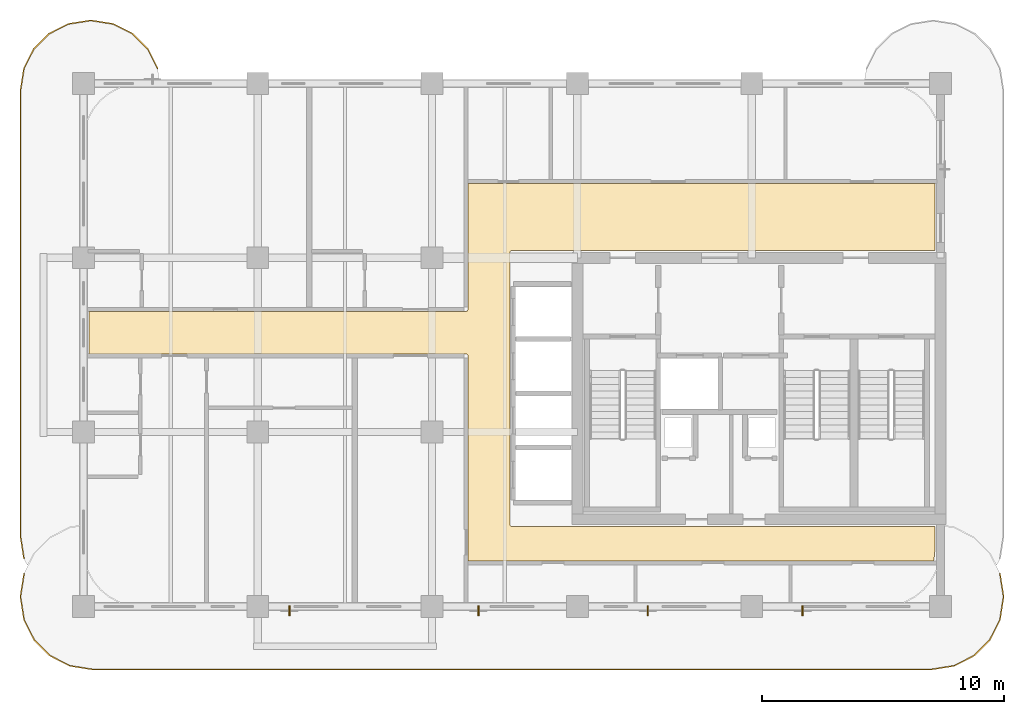
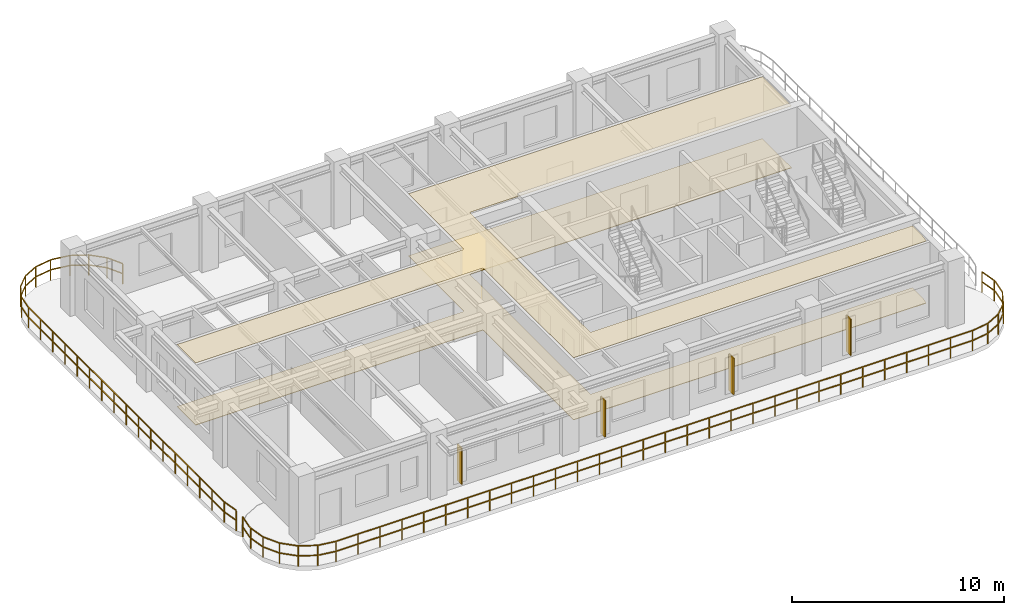
# One storey, part 6 of 7: 4 shading devices, 2 coverings, 2 railings.
"""IFC4 building model written with IfcOpenShell, lengths in metres."""

from ifc_helpers import new_model, si_unit, derived_unit, direction, frame, origin, origin_2d, place, context, subcontext, project, spatial, polyline, rectangle, outline, extrude, source, transform, mapped, material, layer, layer_set, type_object, type_shapes, element, save


model = new_model("IFC4")

# Units and contexts
model_context = context("Model", 3, precision=1e-05, world=origin(), true_north=direction((0.0, 1.0)))
body_context = subcontext(model_context, "Body", "Model", "MODEL_VIEW")
ifc_project = project(units=[si_unit("LENGTHUNIT", "METRE"), si_unit("AREAUNIT", "SQUARE_METRE"), si_unit("VOLUMEUNIT", "CUBIC_METRE"), si_unit("PLANEANGLEUNIT", "RADIAN"), si_unit("MASSUNIT", "GRAM", prefix="KILO"), si_unit("THERMODYNAMICTEMPERATUREUNIT", "KELVIN"), si_unit("POWERUNIT", "WATT"), derived_unit("THERMALTRANSMITTANCEUNIT", [(si_unit("POWERUNIT", "WATT"), 1), (si_unit("AREAUNIT", "SQUARE_METRE"), -1), (si_unit("THERMODYNAMICTEMPERATUREUNIT", "KELVIN"), -1)])], contexts=[model_context])

# Site, building, storey
site_placement = place(None, origin())
site = spatial("IfcSite", under=ifc_project, at=site_placement, CompositionType="ELEMENT")
building_placement = place(site_placement, origin())
building = spatial("IfcBuilding", under=site, at=building_placement, Name="Zahravan Archway Hotel and Residences", CompositionType="ELEMENT")
storey_placement = place(building_placement, frame((0.0, 0.0, 240.39990234375)))
storey = spatial("IfcBuildingStorey", under=building, at=storey_placement, Name="L60", CompositionType="ELEMENT", Elevation=240.39990234375)

# Coverings
ifc_material_1 = material(Name="Perforated Acoustic Gypsum Ceiling")
ifc_layer_1 = layer(ifc_material_1, 0.02490234375, Name="Perforated Acoustic Gypsum Ceiling")
ifc_layer_set_1 = layer_set([ifc_layer_1], Name="Perforated Acoustic Gypsum Ceiling")
covering_type_1 = type_object("IfcCoveringType", Name="COV-CEIL-ACST", PredefinedType="CEILING", material=ifc_layer_set_1)
covering_1_placement = place(storey_placement, frame((0.0, 0.0, 3.5751953125)))
element("IfcCovering", 1, at=covering_1_placement, inside=storey, type_object=covering_type_1, Name="L60 Acoustic Corridor Ceiling", PredefinedType="CEILING", context=body_context, shape_type="SweptSolid", body=[
    extrude(outline(polyline([(30.215576171875, 12.19140625), (30.256591796875, 12.21337890625), (30.278564453125, 12.25439453125), (30.280029296875, 17.469970703125), (49.580078125, 17.469970703125), (49.580078125, 14.705078125), (32.10009765625, 14.705078125), (32.0556640625, 14.69140625), (32.026123046875, 14.655517578125), (32.02001953125, 3.375), (32.033447265625, 3.33056640625), (32.0693359375, 3.301025390625), (49.580078125, 3.294921875), (49.580078125, 2.410888671875), (49.537109375, 1.974853515625), (49.50830078125, 1.8798828125), (30.280029296875, 1.8798828125), (30.280029296875, 10.35009765625), (30.2666015625, 10.394287109375), (30.230712890625, 10.423828125), (14.6201171875, 10.429931640625), (14.6201171875, 12.18994140625), (30.199951171875, 12.18994140625), (30.215576171875, 12.19140625)])), origin(), (0.0, 0.0, 1.0), 0.02490234375),
])
ifc_material_2 = material(Name="Honed Margalla Limestone & Mortar Bed", Category="masonry")
ifc_layer_2 = layer(ifc_material_2, 0.030029296875, Name="Honed Margalla Limestone & Mortar Bed", Category="masonry")
ifc_layer_set_2 = layer_set([ifc_layer_2], Name="Honed Margalla Limestone & Mortar Bed")
covering_type_2 = type_object("IfcCoveringType", Name="COV-FLR-STONE", PredefinedType="FLOORING", material=ifc_layer_set_2)
covering_2_placement = place(storey_placement, origin())
element("IfcCovering", 2, at=covering_2_placement, inside=storey, type_object=covering_type_2, Name="L60 Circulation Floor Finish", PredefinedType="FLOORING", context=body_context, shape_type="SweptSolid", body=[
    extrude(outline(polyline([(30.215576171875, 12.19140625), (30.256591796875, 12.21337890625), (30.278564453125, 12.25439453125), (30.280029296875, 17.469970703125), (49.580078125, 17.469970703125), (49.580078125, 14.705078125), (32.10009765625, 14.705078125), (32.0556640625, 14.69140625), (32.026123046875, 14.655517578125), (32.02001953125, 3.375), (32.033447265625, 3.33056640625), (32.0693359375, 3.301025390625), (49.580078125, 3.294921875), (49.580078125, 2.410888671875), (49.537109375, 1.974853515625), (49.50830078125, 1.8798828125), (30.280029296875, 1.8798828125), (30.280029296875, 10.35009765625), (30.2666015625, 10.394287109375), (30.230712890625, 10.423828125), (14.6201171875, 10.429931640625), (14.6201171875, 12.18994140625), (30.199951171875, 12.18994140625), (30.215576171875, 12.19140625)])), origin(), (0.0, 0.0, 1.0), 0.030029296875),
])

# Railings
ifc_material_3 = material(Name="Bronze & Laminated Glass Balustrade", Category="glass")
railing_type = type_object("IfcRailingType", Name="RL-BAL-1200", PredefinedType="BALUSTRADE", material=ifc_material_3)
railing_1_placement = place(storey_placement, frame((52.255615234375, 1.361572265625, 0.0)))
element("IfcRailing", 3, at=railing_1_placement, inside=storey, type_object=railing_type, Name="L60 Balustrade RL-SLB-BAL-L60-SA-1", PredefinedType="BALUSTRADE", context=body_context, shape_type="SweptSolid", body=[
    extrude(rectangle(XDim=0.048095703125, YDim=0.048095703125, at=origin_2d()), frame((0.0, 0.0, 1.17578125), z_axis=(0.156329311416, -0.987704989555, 0.0), x_axis=(0.987704989555, 0.156329311416, 0.0)), (0.0, 0.0, 1.0), 0.9228515625),
    extrude(rectangle(XDim=0.048095703125, YDim=0.048095703125, at=origin_2d()), frame((0.0, 0.0, 0.60009765625), z_axis=(0.156329311416, -0.987704989555, 0.0), x_axis=(0.987704989555, 0.156329311416, 0.0)), (0.0, 0.0, 1.0), 0.9228515625),
    extrude(rectangle(XDim=0.048095703125, YDim=0.048095703125, at=origin_2d()), frame((0.144287109375, -0.91162109375, 1.17578125), z_axis=(0.0, -1.0, 0.0), x_axis=(1.0, 0.0, 0.0)), (0.0, 0.0, 1.0), 0.099853515625),
    extrude(rectangle(XDim=0.048095703125, YDim=0.048095703125, at=origin_2d()), frame((0.144287109375, -0.91162109375, 0.60009765625), z_axis=(0.0, -1.0, 0.0), x_axis=(1.0, 0.0, 0.0)), (0.0, 0.0, 1.0), 0.099853515625),
    extrude(rectangle(XDim=0.048095703125, YDim=0.048095703125, at=origin_2d()), frame((0.144287109375, -1.011474609375, 1.17578125), z_axis=(-0.156329311416, -0.987704989555, 0.0), x_axis=(0.987704989555, -0.156329311416, 0.0)), (0.0, 0.0, 1.0), 0.9228515625),
    extrude(rectangle(XDim=0.048095703125, YDim=0.048095703125, at=origin_2d()), frame((0.144287109375, -1.011474609375, 0.60009765625), z_axis=(-0.156329311416, -0.987704989555, 0.0), x_axis=(0.987704989555, -0.156329311416, 0.0)), (0.0, 0.0, 1.0), 0.9228515625),
    extrude(rectangle(XDim=0.048095703125, YDim=0.048095703125, at=origin_2d()), frame((0.0, -1.923095703125, 1.17578125), z_axis=(-0.453866348456, -0.891069771532, 0.0), x_axis=(0.891069771532, -0.453866348456, 0.0)), (0.0, 0.0, 1.0), 0.923095703125),
    extrude(rectangle(XDim=0.048095703125, YDim=0.048095703125, at=origin_2d()), frame((0.0, -1.923095703125, 0.60009765625), z_axis=(-0.453866348456, -0.891069771532, 0.0), x_axis=(0.891069771532, -0.453866348456, 0.0)), (0.0, 0.0, 1.0), 0.923095703125),
    extrude(rectangle(XDim=0.048095703125, YDim=0.048095703125, at=origin_2d()), frame((-0.4189453125, -2.74560546875, 1.17578125), z_axis=(-0.707106781187, -0.707106781187, 0.0), x_axis=(0.707106781187, -0.707106781187, 0.0)), (0.0, 0.0, 1.0), 0.9228515625),
    extrude(rectangle(XDim=0.048095703125, YDim=0.048095703125, at=origin_2d()), frame((-0.4189453125, -2.74560546875, 0.60009765625), z_axis=(-0.707106781187, -0.707106781187, 0.0), x_axis=(0.707106781187, -0.707106781187, 0.0)), (0.0, 0.0, 1.0), 0.9228515625),
    extrude(rectangle(XDim=0.048095703125, YDim=0.048095703125, at=origin_2d()), frame((-1.071533203125, -3.398193359375, 1.17578125), z_axis=(-0.891069771532, -0.453866348456, 0.0), x_axis=(0.453866348456, -0.891069771532, 0.0)), (0.0, 0.0, 1.0), 0.923095703125),
    extrude(rectangle(XDim=0.048095703125, YDim=0.048095703125, at=origin_2d()), frame((-1.071533203125, -3.398193359375, 0.60009765625), z_axis=(-0.891069771532, -0.453866348456, 0.0), x_axis=(0.453866348456, -0.891069771532, 0.0)), (0.0, 0.0, 1.0), 0.923095703125),
    extrude(rectangle(XDim=0.048095703125, YDim=0.048095703125, at=origin_2d()), frame((-1.89404296875, -3.817138671875, 1.17578125), z_axis=(-0.98766411426, -0.156587347521, 0.0), x_axis=(0.156587347521, -0.98766411426, 0.0)), (0.0, 0.0, 1.0), 0.923095703125),
    extrude(rectangle(XDim=0.048095703125, YDim=0.048095703125, at=origin_2d()), frame((-1.89404296875, -3.817138671875, 0.60009765625), z_axis=(-0.98766411426, -0.156587347521, 0.0), x_axis=(0.156587347521, -0.98766411426, 0.0)), (0.0, 0.0, 1.0), 0.923095703125),
    extrude(rectangle(XDim=0.048095703125, YDim=0.048095703125, at=origin_2d()), frame((-2.8056640625, -3.961669921875, 1.17578125), z_axis=(-1.0, 0.0, 0.0), x_axis=(0.0, -1.0, 0.0)), (0.0, 0.0, 1.0), 34.699951171875),
    extrude(rectangle(XDim=0.048095703125, YDim=0.048095703125, at=origin_2d()), frame((-2.8056640625, -3.961669921875, 0.60009765625), z_axis=(-1.0, 0.0, 0.0), x_axis=(0.0, -1.0, 0.0)), (0.0, 0.0, 1.0), 34.699951171875),
    extrude(rectangle(XDim=0.048095703125, YDim=0.048095703125, at=origin_2d()), frame((-37.505615234375, -3.961669921875, 1.17578125), z_axis=(-0.98766411426, 0.156587347521, 0.0), x_axis=(-0.156587347521, -0.98766411426, 0.0)), (0.0, 0.0, 1.0), 0.923095703125),
    extrude(rectangle(XDim=0.048095703125, YDim=0.048095703125, at=origin_2d()), frame((-37.505615234375, -3.961669921875, 0.60009765625), z_axis=(-0.98766411426, 0.156587347521, 0.0), x_axis=(-0.156587347521, -0.98766411426, 0.0)), (0.0, 0.0, 1.0), 0.923095703125),
    extrude(rectangle(XDim=0.048095703125, YDim=0.048095703125, at=origin_2d()), frame((-38.417236328125, -3.817138671875, 1.17578125), z_axis=(-0.891015268556, 0.453973337542, 0.0), x_axis=(-0.453973337542, -0.891015268556, 0.0)), (0.0, 0.0, 1.0), 0.9228515625),
    extrude(rectangle(XDim=0.048095703125, YDim=0.048095703125, at=origin_2d()), frame((-38.417236328125, -3.817138671875, 0.60009765625), z_axis=(-0.891015268556, 0.453973337542, 0.0), x_axis=(-0.453973337542, -0.891015268556, 0.0)), (0.0, 0.0, 1.0), 0.9228515625),
    extrude(rectangle(XDim=0.048095703125, YDim=0.048095703125, at=origin_2d()), frame((-39.239501953125, -3.398193359375, 1.17578125), z_axis=(-0.707239012465, 0.706974525176, 0.0), x_axis=(-0.706974525176, -0.707239012465, 0.0)), (0.0, 0.0, 1.0), 0.923095703125),
    extrude(rectangle(XDim=0.048095703125, YDim=0.048095703125, at=origin_2d()), frame((-39.239501953125, -3.398193359375, 0.60009765625), z_axis=(-0.707239012465, 0.706974525176, 0.0), x_axis=(-0.706974525176, -0.707239012465, 0.0)), (0.0, 0.0, 1.0), 0.923095703125),
    extrude(rectangle(XDim=0.048095703125, YDim=0.048095703125, at=origin_2d()), frame((-39.892333984375, -2.74560546875, 1.17578125), z_axis=(-0.453866348456, 0.891069771532, 0.0), x_axis=(-0.891069771532, -0.453866348456, 0.0)), (0.0, 0.0, 1.0), 0.923095703125),
    extrude(rectangle(XDim=0.048095703125, YDim=0.048095703125, at=origin_2d()), frame((-39.892333984375, -2.74560546875, 0.60009765625), z_axis=(-0.453866348456, 0.891069771532, 0.0), x_axis=(-0.891069771532, -0.453866348456, 0.0)), (0.0, 0.0, 1.0), 0.923095703125),
    extrude(rectangle(XDim=0.048095703125, YDim=0.048095703125, at=origin_2d()), frame((-40.311279296875, -1.923095703125, 1.17578125), z_axis=(-0.156329311416, 0.987704989555, 0.0), x_axis=(-0.987704989555, -0.156329311416, 0.0)), (0.0, 0.0, 1.0), 0.9228515625),
    extrude(rectangle(XDim=0.048095703125, YDim=0.048095703125, at=origin_2d()), frame((-40.311279296875, -1.923095703125, 0.60009765625), z_axis=(-0.156329311416, 0.987704989555, 0.0), x_axis=(-0.987704989555, -0.156329311416, 0.0)), (0.0, 0.0, 1.0), 0.9228515625),
    extrude(rectangle(XDim=0.048095703125, YDim=0.048095703125, at=origin_2d()), frame((-40.45556640625, -1.011474609375, 1.17578125), z_axis=(0.0, 1.0, 0.0), x_axis=(-1.0, 0.0, 0.0)), (0.0, 0.0, 1.0), 0.099853515625),
    extrude(rectangle(XDim=0.048095703125, YDim=0.048095703125, at=origin_2d()), frame((-40.45556640625, -1.011474609375, 0.60009765625), z_axis=(0.0, 1.0, 0.0), x_axis=(-1.0, 0.0, 0.0)), (0.0, 0.0, 1.0), 0.099853515625),
    extrude(rectangle(XDim=0.048095703125, YDim=0.048095703125, at=origin_2d()), frame((-40.45556640625, -0.91162109375, 1.17578125), z_axis=(0.156329311416, 0.987704989555, 0.0), x_axis=(-0.987704989555, 0.156329311416, 0.0)), (0.0, 0.0, 1.0), 0.9228515625),
    extrude(rectangle(XDim=0.048095703125, YDim=0.048095703125, at=origin_2d()), frame((-40.45556640625, -0.91162109375, 0.60009765625), z_axis=(0.156329311416, 0.987704989555, 0.0), x_axis=(-0.987704989555, 0.156329311416, 0.0)), (0.0, 0.0, 1.0), 0.9228515625),
    extrude(rectangle(XDim=0.0419921875, YDim=0.0419921875, at=origin_2d()), origin(), (0.0, 0.0, 1.0), 1.15185546875),
    extrude(rectangle(XDim=0.0419921875, YDim=0.0419921875, at=origin_2d()), frame((0.144287109375, -0.91162109375, 0.0)), (0.0, 0.0, 1.0), 1.15185546875),
    extrude(rectangle(XDim=0.0419921875, YDim=0.0419921875, at=origin_2d()), frame((0.0, -1.923095703125, 0.0)), (0.0, 0.0, 1.0), 1.15185546875),
    extrude(rectangle(XDim=0.0419921875, YDim=0.0419921875, at=origin_2d()), frame((-0.4189453125, -2.74560546875, 0.0)), (0.0, 0.0, 1.0), 1.15185546875),
    extrude(rectangle(XDim=0.0419921875, YDim=0.0419921875, at=origin_2d()), frame((-1.071533203125, -3.398193359375, 0.0)), (0.0, 0.0, 1.0), 1.15185546875),
    extrude(rectangle(XDim=0.0419921875, YDim=0.0419921875, at=origin_2d()), frame((-1.89404296875, -3.817138671875, 0.0)), (0.0, 0.0, 1.0), 1.15185546875),
    extrude(rectangle(XDim=0.0419921875, YDim=0.0419921875, at=origin_2d()), frame((-2.8056640625, -3.961669921875, 0.0)), (0.0, 0.0, 1.0), 1.15185546875),
    extrude(rectangle(XDim=0.0419921875, YDim=0.0419921875, at=origin_2d()), frame((-4.002197265625, -3.961669921875, 0.0)), (0.0, 0.0, 1.0), 1.15185546875),
    extrude(rectangle(XDim=0.0419921875, YDim=0.0419921875, at=origin_2d()), frame((-5.19873046875, -3.961669921875, 0.0)), (0.0, 0.0, 1.0), 1.15185546875),
    extrude(rectangle(XDim=0.0419921875, YDim=0.0419921875, at=origin_2d()), frame((-6.395263671875, -3.961669921875, 0.0)), (0.0, 0.0, 1.0), 1.15185546875),
    extrude(rectangle(XDim=0.0419921875, YDim=0.0419921875, at=origin_2d()), frame((-7.591796875, -3.961669921875, 0.0)), (0.0, 0.0, 1.0), 1.15185546875),
    extrude(rectangle(XDim=0.0419921875, YDim=0.0419921875, at=origin_2d()), frame((-8.788330078125, -3.961669921875, 0.0)), (0.0, 0.0, 1.0), 1.15185546875),
    extrude(rectangle(XDim=0.0419921875, YDim=0.0419921875, at=origin_2d()), frame((-9.98486328125, -3.961669921875, 0.0)), (0.0, 0.0, 1.0), 1.15185546875),
    extrude(rectangle(XDim=0.0419921875, YDim=0.0419921875, at=origin_2d()), frame((-11.181396484375, -3.961669921875, 0.0)), (0.0, 0.0, 1.0), 1.15185546875),
    extrude(rectangle(XDim=0.0419921875, YDim=0.0419921875, at=origin_2d()), frame((-12.378173828125, -3.961669921875, 0.0)), (0.0, 0.0, 1.0), 1.15185546875),
    extrude(rectangle(XDim=0.0419921875, YDim=0.0419921875, at=origin_2d()), frame((-13.57470703125, -3.961669921875, 0.0)), (0.0, 0.0, 1.0), 1.15185546875),
    extrude(rectangle(XDim=0.0419921875, YDim=0.0419921875, at=origin_2d()), frame((-14.771240234375, -3.961669921875, 0.0)), (0.0, 0.0, 1.0), 1.15185546875),
    extrude(rectangle(XDim=0.0419921875, YDim=0.0419921875, at=origin_2d()), frame((-15.9677734375, -3.961669921875, 0.0)), (0.0, 0.0, 1.0), 1.15185546875),
    extrude(rectangle(XDim=0.0419921875, YDim=0.0419921875, at=origin_2d()), frame((-17.164306640625, -3.961669921875, 0.0)), (0.0, 0.0, 1.0), 1.15185546875),
    extrude(rectangle(XDim=0.0419921875, YDim=0.0419921875, at=origin_2d()), frame((-18.36083984375, -3.961669921875, 0.0)), (0.0, 0.0, 1.0), 1.15185546875),
    extrude(rectangle(XDim=0.0419921875, YDim=0.0419921875, at=origin_2d()), frame((-19.557373046875, -3.961669921875, 0.0)), (0.0, 0.0, 1.0), 1.15185546875),
    extrude(rectangle(XDim=0.0419921875, YDim=0.0419921875, at=origin_2d()), frame((-20.75390625, -3.961669921875, 0.0)), (0.0, 0.0, 1.0), 1.15185546875),
    extrude(rectangle(XDim=0.0419921875, YDim=0.0419921875, at=origin_2d()), frame((-21.950439453125, -3.961669921875, 0.0)), (0.0, 0.0, 1.0), 1.15185546875),
    extrude(rectangle(XDim=0.0419921875, YDim=0.0419921875, at=origin_2d()), frame((-23.14697265625, -3.961669921875, 0.0)), (0.0, 0.0, 1.0), 1.15185546875),
    extrude(rectangle(XDim=0.0419921875, YDim=0.0419921875, at=origin_2d()), frame((-24.343505859375, -3.961669921875, 0.0)), (0.0, 0.0, 1.0), 1.15185546875),
    extrude(rectangle(XDim=0.0419921875, YDim=0.0419921875, at=origin_2d()), frame((-25.5400390625, -3.961669921875, 0.0)), (0.0, 0.0, 1.0), 1.15185546875),
    extrude(rectangle(XDim=0.0419921875, YDim=0.0419921875, at=origin_2d()), frame((-26.736572265625, -3.961669921875, 0.0)), (0.0, 0.0, 1.0), 1.15185546875),
    extrude(rectangle(XDim=0.0419921875, YDim=0.0419921875, at=origin_2d()), frame((-27.93310546875, -3.961669921875, 0.0)), (0.0, 0.0, 1.0), 1.15185546875),
    extrude(rectangle(XDim=0.0419921875, YDim=0.0419921875, at=origin_2d()), frame((-29.1298828125, -3.961669921875, 0.0)), (0.0, 0.0, 1.0), 1.15185546875),
    extrude(rectangle(XDim=0.0419921875, YDim=0.0419921875, at=origin_2d()), frame((-30.326416015625, -3.961669921875, 0.0)), (0.0, 0.0, 1.0), 1.15185546875),
    extrude(rectangle(XDim=0.0419921875, YDim=0.0419921875, at=origin_2d()), frame((-31.52294921875, -3.961669921875, 0.0)), (0.0, 0.0, 1.0), 1.15185546875),
    extrude(rectangle(XDim=0.0419921875, YDim=0.0419921875, at=origin_2d()), frame((-32.719482421875, -3.961669921875, 0.0)), (0.0, 0.0, 1.0), 1.15185546875),
    extrude(rectangle(XDim=0.0419921875, YDim=0.0419921875, at=origin_2d()), frame((-33.916015625, -3.961669921875, 0.0)), (0.0, 0.0, 1.0), 1.15185546875),
    extrude(rectangle(XDim=0.0419921875, YDim=0.0419921875, at=origin_2d()), frame((-35.112548828125, -3.961669921875, 0.0)), (0.0, 0.0, 1.0), 1.15185546875),
    extrude(rectangle(XDim=0.0419921875, YDim=0.0419921875, at=origin_2d()), frame((-36.30908203125, -3.961669921875, 0.0)), (0.0, 0.0, 1.0), 1.15185546875),
    extrude(rectangle(XDim=0.0419921875, YDim=0.0419921875, at=origin_2d()), frame((-37.505615234375, -3.961669921875, 0.0)), (0.0, 0.0, 1.0), 1.15185546875),
    extrude(rectangle(XDim=0.0419921875, YDim=0.0419921875, at=origin_2d()), frame((-38.417236328125, -3.817138671875, 0.0)), (0.0, 0.0, 1.0), 1.15185546875),
    extrude(rectangle(XDim=0.0419921875, YDim=0.0419921875, at=origin_2d()), frame((-39.239501953125, -3.398193359375, 0.0)), (0.0, 0.0, 1.0), 1.15185546875),
    extrude(rectangle(XDim=0.0419921875, YDim=0.0419921875, at=origin_2d()), frame((-39.892333984375, -2.74560546875, 0.0)), (0.0, 0.0, 1.0), 1.15185546875),
    extrude(rectangle(XDim=0.0419921875, YDim=0.0419921875, at=origin_2d()), frame((-40.311279296875, -1.923095703125, 0.0)), (0.0, 0.0, 1.0), 1.15185546875),
    extrude(rectangle(XDim=0.0419921875, YDim=0.0419921875, at=origin_2d()), frame((-40.45556640625, -1.011474609375, 0.0)), (0.0, 0.0, 1.0), 1.15185546875),
    extrude(rectangle(XDim=0.0419921875, YDim=0.0419921875, at=origin_2d()), frame((-40.311279296875, 0.0, 0.0)), (0.0, 0.0, 1.0), 1.15185546875),
])
railing_2_placement = place(storey_placement, frame((11.939453125, 1.96923828125, 0.0)))
element("IfcRailing", 4, at=railing_2_placement, inside=storey, type_object=railing_type, Name="L60 Balustrade RL-SLB-BAL-L60-WA-1", PredefinedType="BALUSTRADE", context=body_context, shape_type="SweptSolid", body=[
    extrude(rectangle(XDim=0.048095703125, YDim=0.048095703125, at=origin_2d()), frame((0.0, 0.0, 1.17578125), z_axis=(-0.156314005608, 0.987707411965, 0.0), x_axis=(-0.987707411965, -0.156314005608, 0.0)), (0.0, 0.0, 1.0), 0.891845703125),
    extrude(rectangle(XDim=0.048095703125, YDim=0.048095703125, at=origin_2d()), frame((0.0, 0.0, 0.60009765625), z_axis=(-0.156314005608, 0.987707411965, 0.0), x_axis=(-0.987707411965, -0.156314005608, 0.0)), (0.0, 0.0, 1.0), 0.891845703125),
    extrude(rectangle(XDim=0.048095703125, YDim=0.048095703125, at=origin_2d()), frame((-0.139404296875, 0.880859375, 1.17578125), z_axis=(0.0, 1.0, 0.0), x_axis=(-1.0, 0.0, 0.0)), (0.0, 0.0, 1.0), 18.5),
    extrude(rectangle(XDim=0.048095703125, YDim=0.048095703125, at=origin_2d()), frame((-0.139404296875, 0.880859375, 0.60009765625), z_axis=(0.0, 1.0, 0.0), x_axis=(-1.0, 0.0, 0.0)), (0.0, 0.0, 1.0), 18.5),
    extrude(rectangle(XDim=0.048095703125, YDim=0.048095703125, at=origin_2d()), frame((-0.139404296875, 19.380859375, 1.17578125), z_axis=(0.156356282588, 0.987700720307, 0.0), x_axis=(-0.987700720307, 0.156356282588, 0.0)), (0.0, 0.0, 1.0), 0.8916015625),
    extrude(rectangle(XDim=0.048095703125, YDim=0.048095703125, at=origin_2d()), frame((-0.139404296875, 19.380859375, 0.60009765625), z_axis=(0.156356282588, 0.987700720307, 0.0), x_axis=(-0.987700720307, 0.156356282588, 0.0)), (0.0, 0.0, 1.0), 0.8916015625),
    extrude(rectangle(XDim=0.048095703125, YDim=0.048095703125, at=origin_2d()), frame((0.0, 20.261474609375, 1.17578125), z_axis=(0.453991409995, 0.891006060389, 0.0), x_axis=(-0.891006060389, 0.453991409995, 0.0)), (0.0, 0.0, 1.0), 0.8916015625),
    extrude(rectangle(XDim=0.048095703125, YDim=0.048095703125, at=origin_2d()), frame((0.0, 20.261474609375, 0.60009765625), z_axis=(0.453991409995, 0.891006060389, 0.0), x_axis=(-0.891006060389, 0.453991409995, 0.0)), (0.0, 0.0, 1.0), 0.8916015625),
    extrude(rectangle(XDim=0.048095703125, YDim=0.048095703125, at=origin_2d()), frame((0.40478515625, 21.055908203125, 1.17578125), z_axis=(0.707106781187, 0.707106781187, 0.0), x_axis=(-0.707106781187, 0.707106781187, 0.0)), (0.0, 0.0, 1.0), 0.891845703125),
    extrude(rectangle(XDim=0.048095703125, YDim=0.048095703125, at=origin_2d()), frame((0.40478515625, 21.055908203125, 0.60009765625), z_axis=(0.707106781187, 0.707106781187, 0.0), x_axis=(-0.707106781187, 0.707106781187, 0.0)), (0.0, 0.0, 1.0), 0.891845703125),
    extrude(rectangle(XDim=0.048095703125, YDim=0.048095703125, at=origin_2d()), frame((1.035400390625, 21.6865234375, 1.17578125), z_axis=(0.891006060389, 0.453991409995, 0.0), x_axis=(-0.453991409995, 0.891006060389, 0.0)), (0.0, 0.0, 1.0), 0.8916015625),
    extrude(rectangle(XDim=0.048095703125, YDim=0.048095703125, at=origin_2d()), frame((1.035400390625, 21.6865234375, 0.60009765625), z_axis=(0.891006060389, 0.453991409995, 0.0), x_axis=(-0.453991409995, 0.891006060389, 0.0)), (0.0, 0.0, 1.0), 0.8916015625),
    extrude(rectangle(XDim=0.048095703125, YDim=0.048095703125, at=origin_2d()), frame((1.829833984375, 22.09130859375, 1.17578125), z_axis=(0.987700720307, 0.156356282588, 0.0), x_axis=(-0.156356282588, 0.987700720307, 0.0)), (0.0, 0.0, 1.0), 0.8916015625),
    extrude(rectangle(XDim=0.048095703125, YDim=0.048095703125, at=origin_2d()), frame((1.829833984375, 22.09130859375, 0.60009765625), z_axis=(0.987700720307, 0.156356282588, 0.0), x_axis=(-0.156356282588, 0.987700720307, 0.0)), (0.0, 0.0, 1.0), 0.8916015625),
    extrude(rectangle(XDim=0.048095703125, YDim=0.048095703125, at=origin_2d()), frame((2.71044921875, 22.230712890625, 1.17578125), z_axis=(1.0, 0.0, 0.0), x_axis=(0.0, 1.0, 0.0)), (0.0, 0.0, 1.0), 0.10009765625),
    extrude(rectangle(XDim=0.048095703125, YDim=0.048095703125, at=origin_2d()), frame((2.71044921875, 22.230712890625, 0.60009765625), z_axis=(1.0, 0.0, 0.0), x_axis=(0.0, 1.0, 0.0)), (0.0, 0.0, 1.0), 0.10009765625),
    extrude(rectangle(XDim=0.048095703125, YDim=0.048095703125, at=origin_2d()), frame((2.810546875, 22.230712890625, 1.17578125), z_axis=(0.987700720307, -0.156356282588, 0.0), x_axis=(0.156356282588, 0.987700720307, 0.0)), (0.0, 0.0, 1.0), 0.8916015625),
    extrude(rectangle(XDim=0.048095703125, YDim=0.048095703125, at=origin_2d()), frame((2.810546875, 22.230712890625, 0.60009765625), z_axis=(0.987700720307, -0.156356282588, 0.0), x_axis=(0.156356282588, 0.987700720307, 0.0)), (0.0, 0.0, 1.0), 0.8916015625),
    extrude(rectangle(XDim=0.048095703125, YDim=0.048095703125, at=origin_2d()), frame((3.691162109375, 22.09130859375, 1.17578125), z_axis=(0.891062476022, -0.45388067135, 0.0), x_axis=(0.45388067135, 0.891062476022, 0.0)), (0.0, 0.0, 1.0), 0.891845703125),
    extrude(rectangle(XDim=0.048095703125, YDim=0.048095703125, at=origin_2d()), frame((3.691162109375, 22.09130859375, 0.60009765625), z_axis=(0.891062476022, -0.45388067135, 0.0), x_axis=(0.45388067135, 0.891062476022, 0.0)), (0.0, 0.0, 1.0), 0.891845703125),
    extrude(rectangle(XDim=0.048095703125, YDim=0.048095703125, at=origin_2d()), frame((4.48583984375, 21.6865234375, 1.17578125), z_axis=(0.706969864397, -0.70724367147, 0.0), x_axis=(0.70724367147, 0.706969864397, 0.0)), (0.0, 0.0, 1.0), 0.8916015625),
    extrude(rectangle(XDim=0.048095703125, YDim=0.048095703125, at=origin_2d()), frame((4.48583984375, 21.6865234375, 0.60009765625), z_axis=(0.706969864397, -0.70724367147, 0.0), x_axis=(0.70724367147, 0.706969864397, 0.0)), (0.0, 0.0, 1.0), 0.8916015625),
    extrude(rectangle(XDim=0.048095703125, YDim=0.048095703125, at=origin_2d()), frame((5.1162109375, 21.055908203125, 1.17578125), z_axis=(0.453991409995, -0.891006060389, 0.0), x_axis=(0.891006060389, 0.453991409995, 0.0)), (0.0, 0.0, 1.0), 0.8916015625),
    extrude(rectangle(XDim=0.048095703125, YDim=0.048095703125, at=origin_2d()), frame((5.1162109375, 21.055908203125, 0.60009765625), z_axis=(0.453991409995, -0.891006060389, 0.0), x_axis=(0.891006060389, 0.453991409995, 0.0)), (0.0, 0.0, 1.0), 0.8916015625),
    extrude(rectangle(XDim=0.0419921875, YDim=0.0419921875, at=origin_2d()), origin(), (0.0, 0.0, 1.0), 1.15185546875),
    extrude(rectangle(XDim=0.0419921875, YDim=0.0419921875, at=origin_2d()), frame((-0.139404296875, 0.880859375, 0.0)), (0.0, 0.0, 1.0), 1.15185546875),
    extrude(rectangle(XDim=0.0419921875, YDim=0.0419921875, at=origin_2d()), frame((-0.139404296875, 2.037109375, 0.0)), (0.0, 0.0, 1.0), 1.15185546875),
    extrude(rectangle(XDim=0.0419921875, YDim=0.0419921875, at=origin_2d()), frame((-0.139404296875, 3.193359375, 0.0)), (0.0, 0.0, 1.0), 1.15185546875),
    extrude(rectangle(XDim=0.0419921875, YDim=0.0419921875, at=origin_2d()), frame((-0.139404296875, 4.349609375, 0.0)), (0.0, 0.0, 1.0), 1.15185546875),
    extrude(rectangle(XDim=0.0419921875, YDim=0.0419921875, at=origin_2d()), frame((-0.139404296875, 5.505859375, 0.0)), (0.0, 0.0, 1.0), 1.15185546875),
    extrude(rectangle(XDim=0.0419921875, YDim=0.0419921875, at=origin_2d()), frame((-0.139404296875, 6.662109375, 0.0)), (0.0, 0.0, 1.0), 1.15185546875),
    extrude(rectangle(XDim=0.0419921875, YDim=0.0419921875, at=origin_2d()), frame((-0.139404296875, 7.818359375, 0.0)), (0.0, 0.0, 1.0), 1.15185546875),
    extrude(rectangle(XDim=0.0419921875, YDim=0.0419921875, at=origin_2d()), frame((-0.139404296875, 8.974609375, 0.0)), (0.0, 0.0, 1.0), 1.15185546875),
    extrude(rectangle(XDim=0.0419921875, YDim=0.0419921875, at=origin_2d()), frame((-0.139404296875, 10.130859375, 0.0)), (0.0, 0.0, 1.0), 1.15185546875),
    extrude(rectangle(XDim=0.0419921875, YDim=0.0419921875, at=origin_2d()), frame((-0.139404296875, 11.287109375, 0.0)), (0.0, 0.0, 1.0), 1.15185546875),
    extrude(rectangle(XDim=0.0419921875, YDim=0.0419921875, at=origin_2d()), frame((-0.139404296875, 12.443359375, 0.0)), (0.0, 0.0, 1.0), 1.15185546875),
    extrude(rectangle(XDim=0.0419921875, YDim=0.0419921875, at=origin_2d()), frame((-0.139404296875, 13.599609375, 0.0)), (0.0, 0.0, 1.0), 1.15185546875),
    extrude(rectangle(XDim=0.0419921875, YDim=0.0419921875, at=origin_2d()), frame((-0.139404296875, 14.755859375, 0.0)), (0.0, 0.0, 1.0), 1.15185546875),
    extrude(rectangle(XDim=0.0419921875, YDim=0.0419921875, at=origin_2d()), frame((-0.139404296875, 15.912109375, 0.0)), (0.0, 0.0, 1.0), 1.15185546875),
    extrude(rectangle(XDim=0.0419921875, YDim=0.0419921875, at=origin_2d()), frame((-0.139404296875, 17.068359375, 0.0)), (0.0, 0.0, 1.0), 1.15185546875),
    extrude(rectangle(XDim=0.0419921875, YDim=0.0419921875, at=origin_2d()), frame((-0.139404296875, 18.224609375, 0.0)), (0.0, 0.0, 1.0), 1.15185546875),
    extrude(rectangle(XDim=0.0419921875, YDim=0.0419921875, at=origin_2d()), frame((-0.139404296875, 19.380859375, 0.0)), (0.0, 0.0, 1.0), 1.15185546875),
    extrude(rectangle(XDim=0.0419921875, YDim=0.0419921875, at=origin_2d()), frame((0.0, 20.261474609375, 0.0)), (0.0, 0.0, 1.0), 1.15185546875),
    extrude(rectangle(XDim=0.0419921875, YDim=0.0419921875, at=origin_2d()), frame((0.40478515625, 21.055908203125, 0.0)), (0.0, 0.0, 1.0), 1.15185546875),
    extrude(rectangle(XDim=0.0419921875, YDim=0.0419921875, at=origin_2d()), frame((1.035400390625, 21.6865234375, 0.0)), (0.0, 0.0, 1.0), 1.15185546875),
    extrude(rectangle(XDim=0.0419921875, YDim=0.0419921875, at=origin_2d()), frame((1.829833984375, 22.09130859375, 0.0)), (0.0, 0.0, 1.0), 1.15185546875),
    extrude(rectangle(XDim=0.0419921875, YDim=0.0419921875, at=origin_2d()), frame((2.71044921875, 22.230712890625, 0.0)), (0.0, 0.0, 1.0), 1.15185546875),
    extrude(rectangle(XDim=0.0419921875, YDim=0.0419921875, at=origin_2d()), frame((3.691162109375, 22.09130859375, 0.0)), (0.0, 0.0, 1.0), 1.15185546875),
    extrude(rectangle(XDim=0.0419921875, YDim=0.0419921875, at=origin_2d()), frame((4.48583984375, 21.6865234375, 0.0)), (0.0, 0.0, 1.0), 1.15185546875),
    extrude(rectangle(XDim=0.0419921875, YDim=0.0419921875, at=origin_2d()), frame((5.1162109375, 21.055908203125, 0.0)), (0.0, 0.0, 1.0), 1.15185546875),
    extrude(rectangle(XDim=0.0419921875, YDim=0.0419921875, at=origin_2d()), frame((5.52099609375, 20.261474609375, 0.0)), (0.0, 0.0, 1.0), 1.15185546875),
])

# Shading devices
ifc_material_4 = material(Name="Terracotta & Bronze Solar Brise-Soleil", Category="masonry")
ifc_layer_3 = layer(ifc_material_4, 0.06005859375, Name="Terracotta & Bronze Solar Brise-Soleil", Category="masonry")
ifc_layer_set_3 = layer_set([ifc_layer_3], Name="Terracotta & Bronze Solar Brise-Soleil")
shading_device_type = type_object("IfcShadingDeviceType", Name="SHD-MASH-FIN", PredefinedType="JALOUSIE", material=ifc_layer_set_3)
shared_shape = source(origin(), body_context, "Body", "SweptSolid", [
    extrude(rectangle(XDim=0.06005859375, YDim=0.419921875, at=origin_2d()), origin(), (0.0, 0.0, 1.0), 2.10009765625),
])
type_shapes(shading_device_type, [shared_shape])
for number, where, z_axis, x_axis, name in (
    (5, (22.89990234375, -0.177978515625, 0.25), (0.0, 0.0, 1.0), (1.0, 0.0, 0.0), "L60 Solar Mashrabiya Fin 01"),
    (6, (30.7080078125, -0.177978515625, 0.25), (0.0, 0.0, 1.0), (1.0, 0.0, 0.0), "L60 Solar Mashrabiya Fin 02"),
    (7, (37.7080078125, -0.177978515625, 0.25), (0.0, 0.0, 1.0), (1.0, 0.0, 0.0), "L60 Solar Mashrabiya Fin 03"),
    (8, (44.10791015625, -0.177978515625, 0.25), (0.0, 0.0, 1.0), (1.0, 0.0, 0.0), "L60 Solar Mashrabiya Fin 04"),
):
    element("IfcShadingDevice", number, at=place(storey_placement, frame(where, z_axis=z_axis, x_axis=x_axis)), inside=storey, type_object=shading_device_type, Name=name, PredefinedType="JALOUSIE", context=body_context, shape_type="MappedRepresentation", body=[
        mapped(shared_shape, transform((0.0, 0.0, 0.0), scale=1.0)),
    ])

save(model, "model.ifc")
